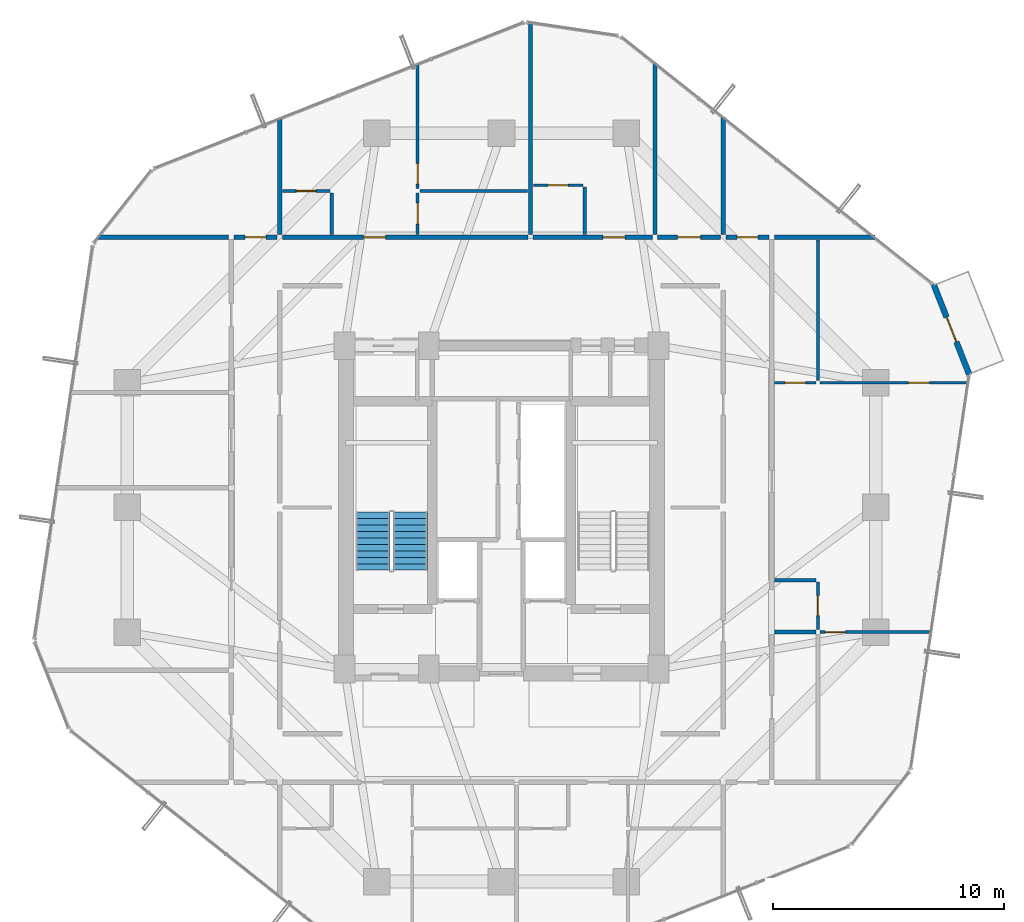
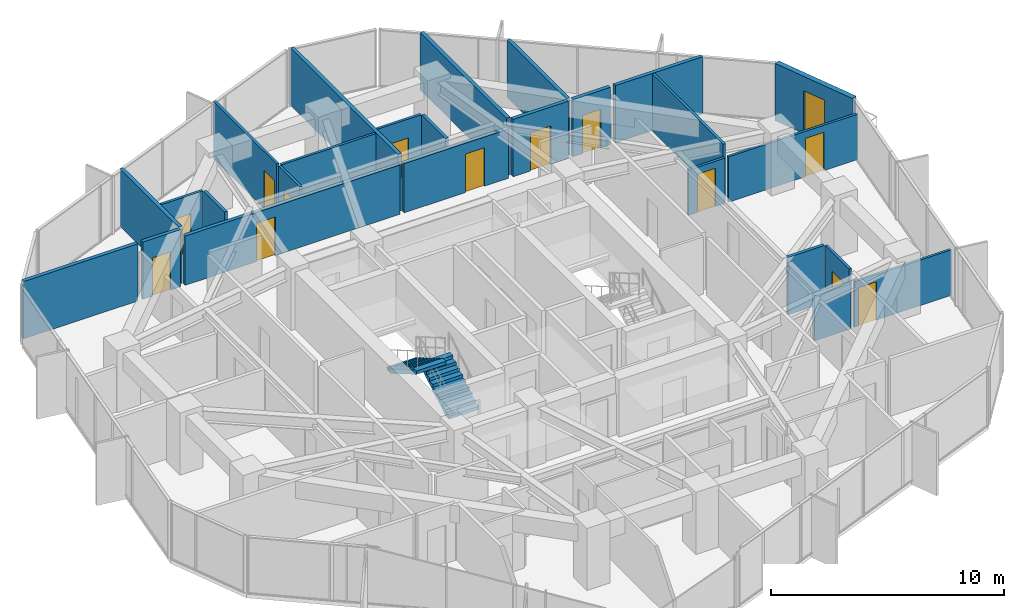
# One storey, part 26 of 29: 26 walls, 14 doors, 2 stair flights, 14 openings, 1 element without a shape of its own.
"""IFC4 building model written with IfcOpenShell, lengths in metres."""

from ifc_helpers import new_model, si_unit, direction, frame, frame_2d, origin, place, context, subcontext, project, spatial, polyline, rectangle, outline, extrude, source, transform, mapped, material, layer, layer_set, type_object, element, fill, aggregate, save


model = new_model("IFC4")

# Units and contexts
model_context = context("Model", 3, precision=1e-05, world=origin(), true_north=direction((0.0, 1.0)))
body_context = subcontext(model_context, "Body", "Model", "MODEL_VIEW")
ifc_project = project(units=[si_unit("LENGTHUNIT", "METRE"), si_unit("AREAUNIT", "SQUARE_METRE"), si_unit("VOLUMEUNIT", "CUBIC_METRE"), si_unit("PLANEANGLEUNIT", "RADIAN"), si_unit("MASSUNIT", "GRAM", prefix="KILO")], contexts=[model_context])

# Site, building, storey
site_placement = place(None, origin())
site = spatial("IfcSite", under=ifc_project, at=site_placement, CompositionType="ELEMENT")
building_placement = place(site_placement, origin())
building = spatial("IfcBuilding", under=site, at=building_placement, Name="Veraguas Prism Commons", CompositionType="ELEMENT")
storey_placement = place(building_placement, frame((0.0, 0.0, 99.199951171875)))
storey = spatial("IfcBuildingStorey", under=building, at=storey_placement, Name="L27", CompositionType="ELEMENT", Elevation=99.199951171875)

# Walls
ifc_material_1 = material(Name="Autoclaved aerated masonry block 10 MPa", Category="masonry")
ifc_layer_1 = layer(ifc_material_1, 0.179931640625, Name="Corridor and Inter-Tenancy Partition 180", Category="masonry")
ifc_layer_set_1 = layer_set([ifc_layer_1], Name="Autoclaved aerated masonry block 10 MPa")
wall_type_1 = type_object("IfcWallType", Name="Corridor and Inter-Tenancy Partition 180", PredefinedType="PARTITIONING", material=ifc_layer_set_1)
wall_1_placement = place(storey_placement, frame((14.39990234375, 35.820068359375, 0.0), z_axis=(0.0, 0.0, 1.0), x_axis=(0.0, 1.0, 0.0)))
element("IfcWall", 1, at=wall_1_placement, inside=storey, type_object=wall_type_1, Name="WL-L27-PT016", PredefinedType="PARTITIONING", context=body_context, shape_type="SweptSolid", body=[
    extrude(rectangle(XDim=5.044677734375, YDim=0.179931640625, at=frame_2d((2.5224609375, 0.0))), origin(), (0.0, 0.0, 1.0), 3.0),
])
wall_2_placement = place(storey_placement, frame((33.60009765625, 35.820068359375, 0.0), z_axis=(0.0, 0.0, 1.0), x_axis=(0.0, 1.0, 0.0)))
element("IfcWall", 2, at=wall_2_placement, inside=storey, type_object=wall_type_1, Name="WL-L27-PT017", PredefinedType="PARTITIONING", context=body_context, shape_type="SweptSolid", body=[
    extrude(rectangle(XDim=5.0888671875, YDim=0.179931640625, at=frame_2d((2.54443359375, 0.0))), origin(), (0.0, 0.0, 1.0), 3.0),
])

# Wall, opening, door
wall_3_placement = place(storey_placement, frame((14.510009765625, 35.699951171875, 0.0), z_axis=(0.0, 0.0, 1.0), x_axis=(1.0, 0.0, 0.0)))
wall_3 = element("IfcWall", 3, at=wall_3_placement, inside=storey, type_object=wall_type_1, Name="WL-L27-PT018", PredefinedType="PARTITIONING", context=body_context, shape_type="SweptSolid", body=[
    extrude(rectangle(XDim=10.635986328125, YDim=0.179931640625, at=frame_2d((5.31787109375, 0.0))), origin(), (0.0, 0.0, 1.0), 2.580078125),
])
opening_1_placement = place(wall_3_placement, frame((3.525390625, 0.0, 0.0)))
opening_1 = element("IfcOpeningElement", 4, at=opening_1_placement, cuts=wall_3, Name="Opening DR-01", PredefinedType="OPENING", context=body_context, shape_type="SweptSolid", body=[
    extrude(rectangle(XDim=0.949951171875, YDim=2.02001953125, at=frame_2d((0.47509765625, 1.010009765625))), frame((0.0, 0.099853515625, 0.0), z_axis=(0.0, -1.0, 0.0), x_axis=(1.0, 0.0, 0.0)), (0.0, 0.0, 1.0), 0.199951171875),
])
ifc_material_2 = material(Name="Anodised aluminium EN AW-6063 T6", Category="aluminium")
door_type_1 = type_object("IfcDoorType", Name="Apartment Entrance Fire Door 950x2020", OperationType="NOTDEFINED", PredefinedType="DOOR", material=ifc_material_2)
shared_shape_1 = source(origin(), body_context, "Body", "SweptSolid", [
    extrude(rectangle(XDim=0.949951171875, YDim=2.02001953125, at=frame_2d((0.47509765625, 1.010009765625))), frame((0.0, 0.02490234375, 0.0), z_axis=(0.0, -1.0, 0.0), x_axis=(1.0, 0.0, 0.0)), (0.0, 0.0, 1.0), 0.050048828125),
])
door_1_placement = place(opening_1_placement, origin())
door_1 = element("IfcDoor", 5, at=door_1_placement, inside=storey, type_object=door_type_1, Name="Flat 27C Entrance Door", OperationType="SINGLE_SWING_RIGHT", OverallHeight=2.02001953125, OverallWidth=0.949951171875, PredefinedType="DOOR", context=body_context, shape_type="MappedRepresentation", body=[
    mapped(shared_shape_1, transform((0.0, 0.0, 0.0), scale=1.0)),
])
fill(opening_1, door_1)

# Wall
wall_4_placement = place(storey_placement, frame((25.256103515625, 35.820068359375, 0.0), z_axis=(0.0, 0.0, 1.0), x_axis=(0.0, 1.0, 0.0)))
element("IfcWall", 6, at=wall_4_placement, inside=storey, type_object=wall_type_1, Name="WL-L27-PT024", PredefinedType="PARTITIONING", context=body_context, shape_type="SweptSolid", body=[
    extrude(rectangle(XDim=9.204345703125, YDim=0.179931640625, at=frame_2d((4.60205078125, 0.0))), origin(), (0.0, 0.0, 1.0), 3.0),
])

# Wall, opening, door
wall_5_placement = place(storey_placement, frame((30.760009765625, 35.699951171875, 0.0), z_axis=(0.0, 0.0, 1.0), x_axis=(1.0, 0.0, 0.0)))
wall_5 = element("IfcWall", 7, at=wall_5_placement, inside=storey, type_object=wall_type_1, Name="WL-L27-PT025", PredefinedType="PARTITIONING", context=body_context, shape_type="SweptSolid", body=[
    extrude(rectangle(XDim=2.72998046875, YDim=0.179931640625, at=frame_2d((1.364990234375, 0.0))), origin(), (0.0, 0.0, 1.0), 3.0),
])
opening_2_placement = place(wall_5_placement, frame((0.864990234375, 0.0, 0.0)))
opening_2 = element("IfcOpeningElement", 8, at=opening_2_placement, cuts=wall_5, Name="Opening DR-13", PredefinedType="OPENING", context=body_context, shape_type="SweptSolid", body=[
    extrude(rectangle(XDim=1.0, YDim=2.010009765625, at=frame_2d((0.5, 1.0048828125))), frame((0.0, 0.099853515625, 0.0), z_axis=(0.0, -1.0, 0.0), x_axis=(1.0, 0.0, 0.0)), (0.0, 0.0, 1.0), 0.199951171875),
])
ifc_material_3 = material(Name="Steel fire-rated door assembly", Category="steel")
door_type_2 = type_object("IfcDoorType", Name="Core Accessible WC and Clinic Fire Door 1000x2010", OperationType="NOTDEFINED", PredefinedType="DOOR", material=ifc_material_3)
shared_shape_2 = source(origin(), body_context, "Body", "SweptSolid", [
    extrude(rectangle(XDim=1.0, YDim=2.010009765625, at=frame_2d((0.5, 1.0048828125))), frame((0.0, 0.02490234375, 0.0), z_axis=(0.0, -1.0, 0.0), x_axis=(1.0, 0.0, 0.0)), (0.0, 0.0, 1.0), 0.050048828125),
])
door_2_placement = place(opening_2_placement, origin())
door_2 = element("IfcDoor", 9, at=door_2_placement, inside=storey, type_object=door_type_2, Name="Quiet Study N Door", OperationType="SINGLE_SWING_RIGHT", OverallHeight=2.010009765625, OverallWidth=1.0, PredefinedType="DOOR", context=body_context, shape_type="MappedRepresentation", body=[
    mapped(shared_shape_2, transform((0.0, 0.0, 0.0), scale=1.0)),
])
fill(opening_2, door_2)

# Wall
wall_6_placement = place(storey_placement, frame((30.64990234375, 35.820068359375, 0.0), z_axis=(0.0, 0.0, 1.0), x_axis=(0.0, 1.0, 0.0)))
element("IfcWall", 10, at=wall_6_placement, inside=storey, type_object=wall_type_1, Name="WL-L27-PT026", PredefinedType="PARTITIONING", context=body_context, shape_type="SweptSolid", body=[
    extrude(rectangle(XDim=7.430419921875, YDim=0.179931640625, at=frame_2d((3.71533203125, 0.0))), origin(), (0.0, 0.0, 1.0), 3.0),
])

# Wall, opening, door
wall_7_placement = place(storey_placement, frame((25.365966796875, 35.699951171875, 0.0), z_axis=(0.0, 0.0, 1.0), x_axis=(1.0, 0.0, 0.0)))
wall_7 = element("IfcWall", 11, at=wall_7_placement, inside=storey, type_object=wall_type_1, Name="WL-L27-PT027", PredefinedType="PARTITIONING", context=body_context, shape_type="SweptSolid", body=[
    extrude(rectangle(XDim=5.174072265625, YDim=0.179931640625, at=frame_2d((2.5869140625, 0.0))), origin(), (0.0, 0.0, 1.0), 2.580078125),
])
opening_3_placement = place(wall_7_placement, frame((3.02978515625, 0.0, 0.0)))
opening_3 = element("IfcOpeningElement", 12, at=opening_3_placement, cuts=wall_7, Name="Opening DR-01", PredefinedType="OPENING", context=body_context, shape_type="SweptSolid", body=[
    extrude(rectangle(XDim=0.949951171875, YDim=2.02001953125, at=frame_2d((0.47509765625, 1.010009765625))), frame((0.0, 0.099853515625, 0.0), z_axis=(0.0, -1.0, 0.0), x_axis=(1.0, 0.0, 0.0)), (0.0, 0.0, 1.0), 0.199951171875),
])
door_3_placement = place(opening_3_placement, origin())
door_3 = element("IfcDoor", 13, at=door_3_placement, inside=storey, type_object=door_type_1, Name="Studio 27D Entrance Door", OperationType="SINGLE_SWING_LEFT", OverallHeight=2.02001953125, OverallWidth=0.949951171875, PredefinedType="DOOR", context=body_context, shape_type="MappedRepresentation", body=[
    mapped(shared_shape_1, transform((0.0, 0.0, 0.0), scale=1.0)),
])
fill(opening_3, door_3)

# Walls
wall_8_placement = place(storey_placement, frame((12.179931640625, 35.699951171875, 0.0), z_axis=(0.0, 0.0, 1.0), x_axis=(-1.0, 0.0, 0.0)))
element("IfcWall", 14, at=wall_8_placement, inside=storey, type_object=wall_type_1, Name="WL-L27-PT031", PredefinedType="PARTITIONING", context=body_context, shape_type="SweptSolid", body=[
    extrude(rectangle(XDim=5.68017578125, YDim=0.179931640625, at=frame_2d((2.840087890625, 0.0))), origin(), (0.0, 0.0, 1.0), 3.0),
])
wall_9_placement = place(storey_placement, frame((35.820068359375, 35.699951171875, 0.0), z_axis=(0.0, 0.0, 1.0), x_axis=(1.0, 0.0, 0.0)))
element("IfcWall", 15, at=wall_9_placement, inside=storey, type_object=wall_type_1, Name="WL-L27-PT040", PredefinedType="PARTITIONING", context=body_context, shape_type="SweptSolid", body=[
    extrude(rectangle(XDim=4.3427734375, YDim=0.179931640625, at=frame_2d((2.17138671875, 0.0))), origin(), (0.0, 0.0, 1.0), 3.0),
])
wall_10_placement = place(storey_placement, frame((35.820068359375, 18.60009765625, 0.0), z_axis=(0.0, 0.0, 1.0), x_axis=(1.0, 0.0, 0.0)))
element("IfcWall", 16, at=wall_10_placement, inside=storey, type_object=wall_type_1, Name="WL-L27-PT044", PredefinedType="PARTITIONING", context=body_context, shape_type="SweptSolid", body=[
    extrude(rectangle(XDim=1.800048828125, YDim=0.179931640625, at=frame_2d((0.89990234375, 0.0))), origin(), (0.0, 0.0, 1.0), 2.3779296875),
])

# Wall, opening, door
wall_11_placement = place(storey_placement, frame((12.419921875, 35.699951171875, 0.0), z_axis=(0.0, 0.0, 1.0), x_axis=(1.0, 0.0, 0.0)))
wall_11 = element("IfcWall", 17, at=wall_11_placement, inside=storey, type_object=wall_type_1, Name="WL-L27-PT053", PredefinedType="PARTITIONING", context=body_context, shape_type="SweptSolid", body=[
    extrude(rectangle(XDim=1.860107421875, YDim=0.179931640625, at=frame_2d((0.93017578125, 0.0))), origin(), (0.0, 0.0, 1.0), 3.0),
])
opening_4_placement = place(wall_11_placement, frame((0.47998046875, 0.0, 0.0)))
opening_4 = element("IfcOpeningElement", 18, at=opening_4_placement, cuts=wall_11, Name="Opening DR-14", PredefinedType="OPENING", context=body_context, shape_type="SweptSolid", body=[
    extrude(rectangle(XDim=0.89990234375, YDim=2.010009765625, at=frame_2d((0.449951171875, 1.0048828125))), frame((0.0, 0.099853515625, 0.0), z_axis=(0.0, -1.0, 0.0), x_axis=(1.0, 0.0, 0.0)), (0.0, 0.0, 1.0), 0.199951171875),
])
door_type_3 = type_object("IfcDoorType", Name="Core Service Room Fire Door 900x2010", OperationType="NOTDEFINED", PredefinedType="DOOR", material=ifc_material_3)
shared_shape_3 = source(origin(), body_context, "Body", "SweptSolid", [
    extrude(rectangle(XDim=0.89990234375, YDim=2.010009765625, at=frame_2d((0.449951171875, 1.0048828125))), frame((0.0, 0.02490234375, 0.0), z_axis=(0.0, -1.0, 0.0), x_axis=(1.0, 0.0, 0.0)), (0.0, 0.0, 1.0), 0.050048828125),
])
door_4_placement = place(opening_4_placement, origin())
door_4 = element("IfcDoor", 19, at=door_4_placement, inside=storey, type_object=door_type_3, Name="Community Co-op Kitchen NW Door", OperationType="SINGLE_SWING_LEFT", OverallHeight=2.010009765625, OverallWidth=0.89990234375, PredefinedType="DOOR", context=body_context, shape_type="MappedRepresentation", body=[
    mapped(shared_shape_3, transform((0.0, 0.0, 0.0), scale=1.0)),
])
fill(opening_4, door_4)

wall_12_placement = place(storey_placement, frame((33.719970703125, 35.699951171875, 0.0), z_axis=(0.0, 0.0, 1.0), x_axis=(1.0, 0.0, 0.0)))
wall_12 = element("IfcWall", 20, at=wall_12_placement, inside=storey, type_object=wall_type_1, Name="WL-L27-PT054", PredefinedType="PARTITIONING", context=body_context, shape_type="SweptSolid", body=[
    extrude(rectangle(XDim=1.860107421875, YDim=0.179931640625, at=frame_2d((0.93017578125, 0.0))), origin(), (0.0, 0.0, 1.0), 3.0),
])
opening_5_placement = place(wall_12_placement, frame((0.47998046875, 0.0, 0.0)))
opening_5 = element("IfcOpeningElement", 21, at=opening_5_placement, cuts=wall_12, Name="Opening DR-14", PredefinedType="OPENING", context=body_context, shape_type="SweptSolid", body=[
    extrude(rectangle(XDim=0.89990234375, YDim=2.010009765625, at=frame_2d((0.449951171875, 1.0048828125))), frame((0.0, 0.099853515625, 0.0), z_axis=(0.0, -1.0, 0.0), x_axis=(1.0, 0.0, 0.0)), (0.0, 0.0, 1.0), 0.199951171875),
])
door_5_placement = place(opening_5_placement, origin())
door_5 = element("IfcDoor", 22, at=door_5_placement, inside=storey, type_object=door_type_3, Name="Residents Cycle and Pram Store NE Door", OperationType="SINGLE_SWING_RIGHT", OverallHeight=2.010009765625, OverallWidth=0.89990234375, PredefinedType="DOOR", context=body_context, shape_type="MappedRepresentation", body=[
    mapped(shared_shape_3, transform((0.0, 0.0, 0.0), scale=1.0)),
])
fill(opening_5, door_5)

ifc_material_4 = material(Name="Precast concrete C40/50", Category="concrete")
ifc_layer_2 = layer(ifc_material_4, 0.25, Name="External Loggia and Portal Wall 250", Category="concrete")
ifc_layer_set_2 = layer_set([ifc_layer_2], Name="Precast concrete C40/50")
wall_type_2 = type_object("IfcWallType", Name="External Loggia and Portal Wall 250", PredefinedType="SOLIDWALL", material=ifc_layer_set_2)
wall_13_placement = place(storey_placement, frame((44.262939453125, 29.73046875, 0.0), z_axis=(0.0, 0.0, 1.0), x_axis=(-0.367439648657, 0.930047366856, 0.0)))
wall_13 = element("IfcWall", 23, at=wall_13_placement, inside=storey, type_object=wall_type_2, Name="Corner Loggia Wall L27-C1", PredefinedType="SOLIDWALL", context=body_context, shape_type="SweptSolid", body=[
    extrude(rectangle(XDim=4.233154296875, YDim=0.25, at=frame_2d((2.11669921875, 0.0))), origin(), (0.0, 0.0, 1.0), 3.0),
])
opening_6_placement = place(wall_13_placement, frame((1.5419921875, 0.0, 0.0)))
opening_6 = element("IfcOpeningElement", 24, at=opening_6_placement, cuts=wall_13, Name="Opening DR-10", PredefinedType="OPENING", context=body_context, shape_type="SweptSolid", body=[
    extrude(rectangle(XDim=1.14990234375, YDim=2.25, at=frame_2d((0.574951171875, 1.125))), frame((0.0, 0.135009765625, 0.0), z_axis=(0.0, -1.0, 0.0), x_axis=(1.0, 0.0, 0.0)), (0.0, 0.0, 1.0), 0.27001953125),
])
door_type_4 = type_object("IfcDoorType", Name="Glazed Loggia and Terrace Door 1150x2250", OperationType="NOTDEFINED", PredefinedType="DOOR", material=ifc_material_2)
shared_shape_4 = source(origin(), body_context, "Body", "SweptSolid", [
    extrude(rectangle(XDim=1.14990234375, YDim=2.25, at=frame_2d((0.574951171875, 1.125))), frame((0.0, 0.02490234375, 0.0), z_axis=(0.0, -1.0, 0.0), x_axis=(1.0, 0.0, 0.0)), (0.0, 0.0, 1.0), 0.050048828125),
])
door_6_placement = place(opening_6_placement, frame((1.14990234375, 0.0, 0.0), z_axis=(0.0, 0.0, 1.0), x_axis=(-1.0, 0.0, 0.0)))
door_6 = element("IfcDoor", 25, at=door_6_placement, inside=storey, type_object=door_type_4, Name="Recessed Loggia Door L27-C1", OperationType="SINGLE_SWING_LEFT", OverallHeight=2.25, OverallWidth=1.14990234375, PredefinedType="DOOR", context=body_context, shape_type="MappedRepresentation", body=[
    mapped(shared_shape_4, transform((0.0, 0.0, 0.0), scale=1.0)),
])
fill(opening_6, door_6)

ifc_material_5 = material(Name="Lightweight acoustic gypsum board")
ifc_layer_3 = layer(ifc_material_5, 0.125, Name="Internal Apartment Room Partition 125")
ifc_layer_set_3 = layer_set([ifc_layer_3], Name="Lightweight acoustic gypsum board")
wall_type_3 = type_object("IfcWallType", Name="Internal Apartment Room Partition 125", PredefinedType="PARTITIONING", material=ifc_layer_set_3)
wall_14_placement = place(storey_placement, frame((14.52001953125, 37.699951171875, 0.0), z_axis=(0.0, 0.0, 1.0), x_axis=(1.0, 0.0, 0.0)))
wall_14 = element("IfcWall", 26, at=wall_14_placement, inside=storey, type_object=wall_type_3, Name="WL-L27-PT020", PredefinedType="PARTITIONING", context=body_context, shape_type="SweptSolid", body=[
    extrude(rectangle(XDim=2.050048828125, YDim=0.125, at=frame_2d((1.02490234375, 0.0))), origin(), (0.0, 0.0, 1.0), 3.0),
])
opening_7_placement = place(wall_14_placement, frame((0.594970703125, 0.0, 0.0)))
opening_7 = element("IfcOpeningElement", 27, at=opening_7_placement, cuts=wall_14, Name="Opening DR-03", PredefinedType="OPENING", context=body_context, shape_type="SweptSolid", body=[
    extrude(rectangle(XDim=0.860107421875, YDim=2.010009765625, at=frame_2d((0.43017578125, 1.0048828125))), frame((0.0, 0.072509765625, 0.0), z_axis=(0.0, -1.0, 0.0), x_axis=(1.0, 0.0, 0.0)), (0.0, 0.0, 1.0), 0.14501953125),
])
ifc_material_6 = material(Name="Timber moisture-resistant leaf", Category="wood")
door_type_5 = type_object("IfcDoorType", Name="Internal Bathroom Door 860x2010", OperationType="NOTDEFINED", PredefinedType="DOOR", material=ifc_material_6)
shared_shape_5 = source(origin(), body_context, "Body", "SweptSolid", [
    extrude(rectangle(XDim=0.860107421875, YDim=2.010009765625, at=frame_2d((0.43017578125, 1.0048828125))), frame((0.0, 0.02490234375, 0.0), z_axis=(0.0, -1.0, 0.0), x_axis=(1.0, 0.0, 0.0)), (0.0, 0.0, 1.0), 0.050048828125),
])
door_7_placement = place(opening_7_placement, origin())
door_7 = element("IfcDoor", 28, at=door_7_placement, inside=storey, type_object=door_type_5, Name="Flat 27C Bathroom Door", OperationType="SINGLE_SWING_LEFT", OverallHeight=2.010009765625, OverallWidth=0.860107421875, PredefinedType="DOOR", context=body_context, shape_type="MappedRepresentation", body=[
    mapped(shared_shape_5, transform((0.0, 0.0, 0.0), scale=1.0)),
])
fill(opening_7, door_7)

wall_15_placement = place(storey_placement, frame((20.37109375, 35.820068359375, 0.0), z_axis=(0.0, 0.0, 1.0), x_axis=(0.0, 1.0, 0.0)))
wall_15 = element("IfcWall", 29, at=wall_15_placement, inside=storey, type_object=wall_type_3, Name="WL-L27-PT021", PredefinedType="PARTITIONING", context=body_context, shape_type="SweptSolid", body=[
    extrude(rectangle(XDim=1.800048828125, YDim=0.125, at=frame_2d((0.89990234375, 0.0))), origin(), (0.0, 0.0, 1.0), 3.0),
])
opening_8_placement = place(wall_15_placement, frame((0.449951171875, 0.0, 0.0)))
opening_8 = element("IfcOpeningElement", 30, at=opening_8_placement, cuts=wall_15, Name="Opening DR-02", PredefinedType="OPENING", context=body_context, shape_type="SweptSolid", body=[
    extrude(rectangle(XDim=0.89990234375, YDim=2.010009765625, at=frame_2d((0.449951171875, 1.0048828125))), frame((0.0, 0.072509765625, 0.0), z_axis=(0.0, -1.0, 0.0), x_axis=(1.0, 0.0, 0.0)), (0.0, 0.0, 1.0), 0.14501953125),
])
ifc_material_7 = material(Name="Timber solid core hardwood", Category="wood")
door_type_6 = type_object("IfcDoorType", Name="Internal Habitable Room Door 900x2010", OperationType="NOTDEFINED", PredefinedType="DOOR", material=ifc_material_7)
door_8_placement = place(opening_8_placement, origin())
door_8 = element("IfcDoor", 31, at=door_8_placement, inside=storey, type_object=door_type_6, Name="Flat 27C Kitchen Door", OperationType="SINGLE_SWING_RIGHT", OverallHeight=2.010009765625, OverallWidth=0.89990234375, PredefinedType="DOOR", context=body_context, shape_type="MappedRepresentation", body=[
    mapped(shared_shape_3, transform((0.0, 0.0, 0.0), scale=1.0)),
])
fill(opening_8, door_8)

# Wall
wall_16_placement = place(storey_placement, frame((20.470947265625, 37.699951171875, 0.0), z_axis=(0.0, 0.0, 1.0), x_axis=(1.0, 0.0, 0.0)))
element("IfcWall", 32, at=wall_16_placement, inside=storey, type_object=wall_type_3, Name="WL-L27-PT022", PredefinedType="PARTITIONING", context=body_context, shape_type="SweptSolid", body=[
    extrude(rectangle(XDim=4.6650390625, YDim=0.125, at=frame_2d((2.33251953125, 0.0))), origin(), (0.0, 0.0, 1.0), 3.0),
])

# Wall, opening, door
wall_17_placement = place(storey_placement, frame((20.37109375, 37.800048828125, 0.0), z_axis=(0.0, 0.0, 1.0), x_axis=(0.0, 1.0, 0.0)))
wall_17 = element("IfcWall", 33, at=wall_17_placement, inside=storey, type_object=wall_type_3, Name="WL-L27-PT023", PredefinedType="PARTITIONING", context=body_context, shape_type="SweptSolid", body=[
    extrude(rectangle(XDim=5.424072265625, YDim=0.125, at=frame_2d((2.7119140625, 0.0))), origin(), (0.0, 0.0, 1.0), 3.0),
])
opening_9_placement = place(wall_17_placement, frame((0.199951171875, 0.0, 0.0)))
opening_9 = element("IfcOpeningElement", 34, at=opening_9_placement, cuts=wall_17, Name="Opening DR-02", PredefinedType="OPENING", context=body_context, shape_type="SweptSolid", body=[
    extrude(rectangle(XDim=0.89990234375, YDim=2.010009765625, at=frame_2d((0.449951171875, 1.0048828125))), frame((0.0, 0.072509765625, 0.0), z_axis=(0.0, -1.0, 0.0), x_axis=(1.0, 0.0, 0.0)), (0.0, 0.0, 1.0), 0.14501953125),
])
door_9_placement = place(opening_9_placement, origin())
door_9 = element("IfcDoor", 35, at=door_9_placement, inside=storey, type_object=door_type_6, Name="Flat 27C Bedroom 1 Door", OperationType="SINGLE_SWING_LEFT", OverallHeight=2.010009765625, OverallWidth=0.89990234375, PredefinedType="DOOR", context=body_context, shape_type="MappedRepresentation", body=[
    mapped(shared_shape_3, transform((0.0, 0.0, 0.0), scale=1.0)),
])
fill(opening_9, door_9)

wall_18_placement = place(storey_placement, frame((25.3759765625, 37.949951171875, 0.0), z_axis=(0.0, 0.0, 1.0), x_axis=(1.0, 0.0, 0.0)))
wall_18 = element("IfcWall", 36, at=wall_18_placement, inside=storey, type_object=wall_type_3, Name="WL-L27-PT029", PredefinedType="PARTITIONING", context=body_context, shape_type="SweptSolid", body=[
    extrude(rectangle(XDim=2.14990234375, YDim=0.125, at=frame_2d((1.074951171875, 0.0))), origin(), (0.0, 0.0, 1.0), 3.0),
])
opening_10_placement = place(wall_18_placement, frame((0.64501953125, 0.0, 0.0)))
opening_10 = element("IfcOpeningElement", 37, at=opening_10_placement, cuts=wall_18, Name="Opening DR-03", PredefinedType="OPENING", context=body_context, shape_type="SweptSolid", body=[
    extrude(rectangle(XDim=0.860107421875, YDim=2.010009765625, at=frame_2d((0.43017578125, 1.0048828125))), frame((0.0, 0.072509765625, 0.0), z_axis=(0.0, -1.0, 0.0), x_axis=(1.0, 0.0, 0.0)), (0.0, 0.0, 1.0), 0.14501953125),
])
door_10_placement = place(opening_10_placement, origin())
door_10 = element("IfcDoor", 38, at=door_10_placement, inside=storey, type_object=door_type_5, Name="Studio 27D Bathroom Door", OperationType="SINGLE_SWING_RIGHT", OverallHeight=2.010009765625, OverallWidth=0.860107421875, PredefinedType="DOOR", context=body_context, shape_type="MappedRepresentation", body=[
    mapped(shared_shape_5, transform((0.0, 0.0, 0.0), scale=1.0)),
])
fill(opening_10, door_10)

wall_19_placement = place(storey_placement, frame((37.800048828125, 18.60009765625, 0.0), z_axis=(0.0, 0.0, 1.0), x_axis=(1.0, 0.0, 0.0)))
wall_19 = element("IfcWall", 39, at=wall_19_placement, inside=storey, type_object=wall_type_3, Name="WL-L27-PT045", PredefinedType="PARTITIONING", context=body_context, shape_type="SweptSolid", body=[
    extrude(rectangle(XDim=4.821533203125, YDim=0.125, at=frame_2d((2.41064453125, 0.0))), origin(), (0.0, 0.0, 1.0), 2.3779296875),
])
opening_11_placement = place(wall_19_placement, frame((0.199951171875, 0.0, 0.0)))
opening_11 = element("IfcOpeningElement", 40, at=opening_11_placement, cuts=wall_19, Name="Opening DR-02", PredefinedType="OPENING", context=body_context, shape_type="SweptSolid", body=[
    extrude(rectangle(XDim=0.89990234375, YDim=2.010009765625, at=frame_2d((0.449951171875, 1.0048828125))), frame((0.0, 0.072509765625, 0.0), z_axis=(0.0, -1.0, 0.0), x_axis=(1.0, 0.0, 0.0)), (0.0, 0.0, 1.0), 0.14501953125),
])
door_11_placement = place(opening_11_placement, origin())
door_11 = element("IfcDoor", 41, at=door_11_placement, inside=storey, type_object=door_type_6, Name="Flat 27E Bedroom 2 Door", OperationType="SINGLE_SWING_LEFT", OverallHeight=2.010009765625, OverallWidth=0.89990234375, PredefinedType="DOOR", context=body_context, shape_type="MappedRepresentation", body=[
    mapped(shared_shape_3, transform((0.0, 0.0, 0.0), scale=1.0)),
])
fill(opening_11, door_11)

wall_20_placement = place(storey_placement, frame((37.699951171875, 18.719970703125, 0.0), z_axis=(0.0, 0.0, 1.0), x_axis=(0.0, 1.0, 0.0)))
wall_20 = element("IfcWall", 42, at=wall_20_placement, inside=storey, type_object=wall_type_3, Name="WL-L27-PT047", PredefinedType="PARTITIONING", context=body_context, shape_type="SweptSolid", body=[
    extrude(rectangle(XDim=2.050048828125, YDim=0.125, at=frame_2d((1.02490234375, 0.0))), origin(), (0.0, 0.0, 1.0), 3.0),
])
opening_12_placement = place(wall_20_placement, frame((0.594970703125, 0.0, 0.0)))
opening_12 = element("IfcOpeningElement", 43, at=opening_12_placement, cuts=wall_20, Name="Opening DR-03", PredefinedType="OPENING", context=body_context, shape_type="SweptSolid", body=[
    extrude(rectangle(XDim=0.860107421875, YDim=2.010009765625, at=frame_2d((0.43017578125, 1.0048828125))), frame((0.0, 0.072509765625, 0.0), z_axis=(0.0, -1.0, 0.0), x_axis=(1.0, 0.0, 0.0)), (0.0, 0.0, 1.0), 0.14501953125),
])
door_12_placement = place(opening_12_placement, origin())
door_12 = element("IfcDoor", 44, at=door_12_placement, inside=storey, type_object=door_type_5, Name="Flat 27E Bathroom Door", OperationType="SINGLE_SWING_RIGHT", OverallHeight=2.010009765625, OverallWidth=0.860107421875, PredefinedType="DOOR", context=body_context, shape_type="MappedRepresentation", body=[
    mapped(shared_shape_5, transform((0.0, 0.0, 0.0), scale=1.0)),
])
fill(opening_12, door_12)

wall_21_placement = place(storey_placement, frame((35.820068359375, 29.39990234375, 0.0), z_axis=(0.0, 0.0, 1.0), x_axis=(1.0, 0.0, 0.0)))
wall_21 = element("IfcWall", 45, at=wall_21_placement, inside=storey, type_object=wall_type_3, Name="WL-L27-PT048", PredefinedType="PARTITIONING", context=body_context, shape_type="SweptSolid", body=[
    extrude(rectangle(XDim=1.800048828125, YDim=0.125, at=frame_2d((0.89990234375, 0.0))), origin(), (0.0, 0.0, 1.0), 2.3779296875),
])
opening_13_placement = place(wall_21_placement, frame((0.449951171875, 0.0, 0.0)))
opening_13 = element("IfcOpeningElement", 46, at=opening_13_placement, cuts=wall_21, Name="Opening DR-02", PredefinedType="OPENING", context=body_context, shape_type="SweptSolid", body=[
    extrude(rectangle(XDim=0.89990234375, YDim=2.010009765625, at=frame_2d((0.449951171875, 1.0048828125))), frame((0.0, 0.072509765625, 0.0), z_axis=(0.0, -1.0, 0.0), x_axis=(1.0, 0.0, 0.0)), (0.0, 0.0, 1.0), 0.14501953125),
])
door_13_placement = place(opening_13_placement, origin())
door_13 = element("IfcDoor", 47, at=door_13_placement, inside=storey, type_object=door_type_6, Name="Flat 27E Kitchen Door", OperationType="SINGLE_SWING_LEFT", OverallHeight=2.010009765625, OverallWidth=0.89990234375, PredefinedType="DOOR", context=body_context, shape_type="MappedRepresentation", body=[
    mapped(shared_shape_3, transform((0.0, 0.0, 0.0), scale=1.0)),
])
fill(opening_13, door_13)

# Wall
wall_22_placement = place(storey_placement, frame((37.699951171875, 29.5, 0.0), z_axis=(0.0, 0.0, 1.0), x_axis=(0.0, 1.0, 0.0)))
element("IfcWall", 48, at=wall_22_placement, inside=storey, type_object=wall_type_3, Name="WL-L27-PT049", PredefinedType="PARTITIONING", context=body_context, shape_type="SweptSolid", body=[
    extrude(rectangle(XDim=6.080078125, YDim=0.125, at=frame_2d((3.0400390625, 0.0))), origin(), (0.0, 0.0, 1.0), 3.0),
])

# Wall, opening, door
wall_23_placement = place(storey_placement, frame((37.800048828125, 29.39990234375, 0.0), z_axis=(0.0, 0.0, 1.0), x_axis=(1.0, 0.0, 0.0)))
wall_23 = element("IfcWall", 49, at=wall_23_placement, inside=storey, type_object=wall_type_3, Name="WL-L27-PT050", PredefinedType="PARTITIONING", context=body_context, shape_type="SweptSolid", body=[
    extrude(rectangle(XDim=6.424072265625, YDim=0.125, at=frame_2d((3.2119140625, 0.0))), origin(), (0.0, 0.0, 1.0), 2.3779296875),
])
opening_14_placement = place(wall_23_placement, frame((3.82958984375, 0.0, 0.0)))
opening_14 = element("IfcOpeningElement", 50, at=opening_14_placement, cuts=wall_23, Name="Opening DR-02", PredefinedType="OPENING", context=body_context, shape_type="SweptSolid", body=[
    extrude(rectangle(XDim=0.89990234375, YDim=2.010009765625, at=frame_2d((0.449951171875, 1.0048828125))), frame((0.0, 0.072509765625, 0.0), z_axis=(0.0, -1.0, 0.0), x_axis=(1.0, 0.0, 0.0)), (0.0, 0.0, 1.0), 0.14501953125),
])
door_14_placement = place(opening_14_placement, origin())
door_14 = element("IfcDoor", 51, at=door_14_placement, inside=storey, type_object=door_type_6, Name="Flat 27E Bedroom 1 Door", OperationType="SINGLE_SWING_RIGHT", OverallHeight=2.010009765625, OverallWidth=0.89990234375, PredefinedType="DOOR", context=body_context, shape_type="MappedRepresentation", body=[
    mapped(shared_shape_3, transform((0.0, 0.0, 0.0), scale=1.0)),
])
fill(opening_14, door_14)

# Walls
ifc_layer_4 = layer(ifc_material_5, 0.14990234375, Name="Wet Room and Clinic Acoustic Partition 150")
ifc_layer_set_4 = layer_set([ifc_layer_4], Name="Lightweight acoustic gypsum board")
wall_type_4 = type_object("IfcWallType", Name="Wet Room and Clinic Acoustic Partition 150", PredefinedType="PARTITIONING", material=ifc_layer_set_4)
wall_24_placement = place(storey_placement, frame((16.64990234375, 35.820068359375, 0.0), z_axis=(0.0, 0.0, 1.0), x_axis=(0.0, 1.0, 0.0)))
element("IfcWall", 52, at=wall_24_placement, inside=storey, type_object=wall_type_4, Name="WL-L27-PT019", PredefinedType="PARTITIONING", context=body_context, shape_type="SweptSolid", body=[
    extrude(rectangle(XDim=1.800048828125, YDim=0.14990234375, at=frame_2d((0.89990234375, 0.0))), origin(), (0.0, 0.0, 1.0), 3.0),
])
wall_25_placement = place(storey_placement, frame((27.60595703125, 35.820068359375, 0.0), z_axis=(0.0, 0.0, 1.0), x_axis=(0.0, 1.0, 0.0)))
element("IfcWall", 53, at=wall_25_placement, inside=storey, type_object=wall_type_4, Name="WL-L27-PT028", PredefinedType="PARTITIONING", context=body_context, shape_type="SweptSolid", body=[
    extrude(rectangle(XDim=2.050048828125, YDim=0.14990234375, at=frame_2d((1.02490234375, 0.0))), origin(), (0.0, 0.0, 1.0), 3.0),
])
wall_26_placement = place(storey_placement, frame((35.820068359375, 20.85009765625, 0.0), z_axis=(0.0, 0.0, 1.0), x_axis=(1.0, 0.0, 0.0)))
element("IfcWall", 54, at=wall_26_placement, inside=storey, type_object=wall_type_4, Name="WL-L27-PT046", PredefinedType="PARTITIONING", context=body_context, shape_type="SweptSolid", body=[
    extrude(rectangle(XDim=1.800048828125, YDim=0.14990234375, at=frame_2d((0.89990234375, 0.0))), origin(), (0.0, 0.0, 1.0), 3.0),
])

# Stair, stair flights
ifc_material_8 = material(Name="Precast concrete C45/55", Category="concrete")
stair_type = type_object("IfcStairType", Name="Dogleg Core Stair 1480W 20R 05", PredefinedType="HALF_TURN_STAIR", material=ifc_material_8)
stair_placement = place(storey_placement, origin())
stair = element("IfcStair", 55, at=stair_placement, inside=storey, type_object=stair_type, Name="Protected Exit Stair ST-01 L27", PredefinedType="HALF_TURN_STAIR")
stair_flight_type = type_object("IfcStairFlightType", Name="Precast Stair Flight 1480W 10R 05", PredefinedType="STRAIGHT", material=ifc_material_8)
stair_flight_1_placement = place(storey_placement, frame((20.06005859375, 21.280029296875, 0.0), z_axis=(0.0, 0.0, 1.0), x_axis=(0.0, 1.0, 0.0)))
stair_flight_1 = element("IfcStairFlight", 56, at=stair_flight_1_placement, type_object=stair_flight_type, Name="ST-05 Flight 1", NumberOfRisers=10, NumberOfTreads=9, PredefinedType="STRAIGHT", RiserHeight=0.1625, TreadLength=0.28, context=body_context, shape_type="SweptSolid", body=[
    extrude(outline(polyline([(0.0, 0.0), (0.0, 0.16259765625), (0.280029296875, 0.16259765625), (0.280029296875, 0.324951171875), (0.56005859375, 0.324951171875), (0.56005859375, 0.487548828125), (0.840087890625, 0.487548828125), (0.840087890625, 0.64990234375), (1.1201171875, 0.64990234375), (1.1201171875, 0.8125), (1.39990234375, 0.8125), (1.39990234375, 0.97509765625), (1.679931640625, 0.97509765625), (1.679931640625, 1.137451171875), (1.9599609375, 1.137451171875), (1.9599609375, 1.300048828125), (2.239990234375, 1.300048828125), (2.239990234375, 1.46240234375), (2.52001953125, 1.46240234375), (2.52001953125, 1.625), (2.52001953125, 1.2890625), (0.298583984375, 0.0), (0.0, 0.0)])), frame((0.0, 0.739990234375, 0.0), z_axis=(0.0, -1.0, 0.0), x_axis=(1.0, 0.0, 0.0)), (0.0, 0.0, 1.0), 1.47998046875),
])
stair_flight_2_placement = place(storey_placement, frame((18.429931640625, 23.800048828125, 1.625), z_axis=(0.0, 0.0, 1.0), x_axis=(0.0, -1.0, 0.0)))
stair_flight_2 = element("IfcStairFlight", 57, at=stair_flight_2_placement, type_object=stair_flight_type, Name="ST-05 Flight 2", NumberOfRisers=10, NumberOfTreads=9, PredefinedType="STRAIGHT", RiserHeight=0.1625, TreadLength=0.28, context=body_context, shape_type="SweptSolid", body=[
    extrude(outline(polyline([(0.0, 0.0), (0.0, 0.16259765625), (0.280029296875, 0.16259765625), (0.280029296875, 0.324951171875), (0.56005859375, 0.324951171875), (0.56005859375, 0.487548828125), (0.840087890625, 0.487548828125), (0.840087890625, 0.64990234375), (1.1201171875, 0.64990234375), (1.1201171875, 0.8125), (1.39990234375, 0.8125), (1.39990234375, 0.97509765625), (1.679931640625, 0.97509765625), (1.679931640625, 1.137451171875), (1.9599609375, 1.137451171875), (1.9599609375, 1.300048828125), (2.239990234375, 1.300048828125), (2.239990234375, 1.46240234375), (2.52001953125, 1.46240234375), (2.52001953125, 1.625), (2.52001953125, 1.2890625), (0.298583984375, 0.0), (0.0, 0.0)])), frame((0.0, 0.739990234375, 0.0), z_axis=(0.0, -1.0, 0.0), x_axis=(1.0, 0.0, 0.0)), (0.0, 0.0, 1.0), 1.47998046875),
])
aggregate(stair, [stair_flight_1, stair_flight_2])

save(model, "model.ifc")
